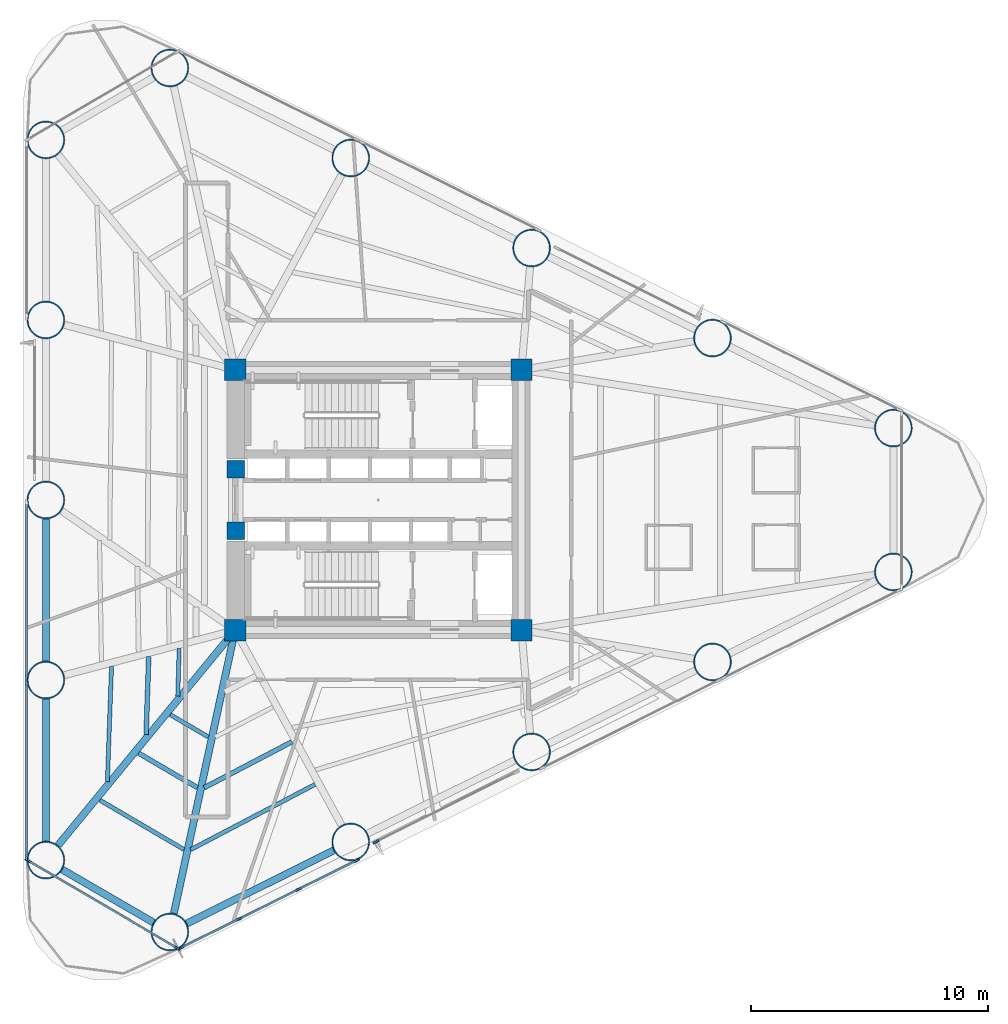
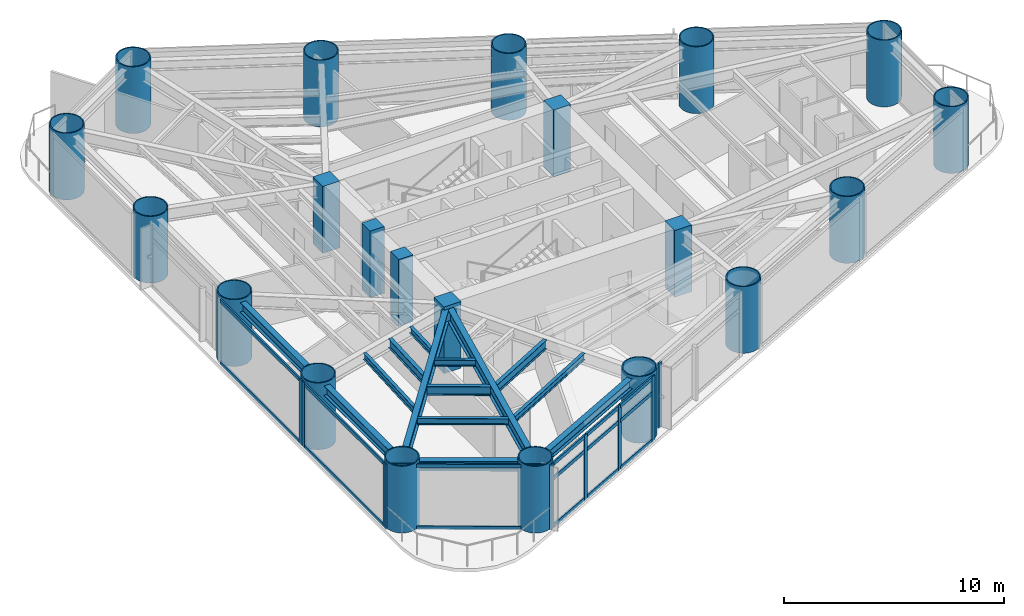
# One storey, part 1 of 11: 25 members, 21 columns, 14 beams, 5 elements without a shape of their own.
"""IFC4 building model written with IfcOpenShell, lengths in metres."""

from ifc_helpers import new_model, si_unit, direction, frame, origin, origin_2d, place, context, subcontext, project, spatial, rectangle, hollow_circle, i_section, extrude, source, transform, mapped, material, layer, layer_set, material_profile, profile_set, type_object, element, aggregate, save


model = new_model("IFC4")

# Units and contexts
model_context = context("Model", 3, precision=1e-05, world=origin(), true_north=direction((0.0, 1.0)))
body_context = subcontext(model_context, "Body", "Model", "MODEL_VIEW")
ifc_project = project(units=[si_unit("LENGTHUNIT", "METRE"), si_unit("AREAUNIT", "SQUARE_METRE"), si_unit("VOLUMEUNIT", "CUBIC_METRE"), si_unit("PLANEANGLEUNIT", "RADIAN"), si_unit("MASSUNIT", "GRAM", prefix="KILO")], contexts=[model_context])

# Site, building, storey
site_placement = place(None, origin())
site = spatial("IfcSite", under=ifc_project, at=site_placement, CompositionType="ELEMENT")
building_placement = place(site_placement, origin())
building = spatial("IfcBuilding", under=site, at=building_placement, Name="Yunling Apex Tower", CompositionType="ELEMENT")
storey_placement = place(building_placement, frame((0.0, 0.0, 42.300048828125)))
storey = spatial("IfcBuildingStorey", under=building, at=storey_placement, Name="L12", CompositionType="ELEMENT", Elevation=42.300048828125)

# Columns
ifc_material_1 = material(Name="Concrete C60", Category="concrete")
ifc_material_profile_1 = material_profile(ifc_material_1, rectangle(XDim=0.89990234375, YDim=0.89990234375, at=origin_2d()))
ifc_profile_set_1 = profile_set([ifc_material_profile_1], Name="Concrete C60")
column_type_1 = type_object("IfcColumnType", Name="PC-SRC-3", PredefinedType="COLUMN", material=ifc_profile_set_1)
shared_shape_1 = source(origin(), body_context, "Body", "SweptSolid", [
    extrude(rectangle(XDim=0.89990234375, YDim=0.89990234375, at=origin_2d()), origin(), (0.0, 0.0, 1.0), 3.699951171875),
])
for number, where, z_axis, x_axis, name in (
    (1, (-6.050048828125, -5.5, 0.0), (0.0, 0.0, 1.0), (1.0, 0.0, 0.0), "L12 Core Spine Column CC-SW"),
    (2, (6.050048828125, -5.5, 0.0), (0.0, 0.0, 1.0), (1.0, 0.0, 0.0), "L12 Core Spine Column CC-SE"),
    (3, (6.050048828125, 5.5, 0.0), (0.0, 0.0, 1.0), (1.0, 0.0, 0.0), "L12 Core Spine Column CC-NE"),
    (4, (-6.050048828125, 5.5, 0.0), (0.0, 0.0, 1.0), (1.0, 0.0, 0.0), "L12 Core Spine Column CC-NW"),
):
    element("IfcColumn", number, at=place(storey_placement, frame(where, z_axis=z_axis, x_axis=x_axis)), inside=storey, type_object=column_type_1, Name=name, PredefinedType="COLUMN", context=body_context, shape_type="MappedRepresentation", body=[
        mapped(shared_shape_1, transform((0.0, 0.0, 0.0), scale=1.0)),
    ])
ifc_material_2 = material(Name="Concrete C50", Category="concrete")
ifc_material_profile_2 = material_profile(ifc_material_2, rectangle(XDim=0.75, YDim=0.75, at=origin_2d()))
ifc_profile_set_2 = profile_set([ifc_material_profile_2], Name="Concrete C50")
column_type_2 = type_object("IfcColumnType", Name="PC-SRC-4", PredefinedType="COLUMN", material=ifc_profile_set_2)
shared_shape_2 = source(origin(), body_context, "Body", "SweptSolid", [
    extrude(rectangle(XDim=0.75, YDim=0.75, at=origin_2d()), origin(), (0.0, 0.0, 1.0), 3.699951171875),
])
for number, where, z_axis, x_axis, name in (
    (5, (-6.02490234375, -1.300048828125, 0.0), (0.0, 0.0, 1.0), (1.0, 0.0, 0.0), "L12 Core West Portal Jamb Column S"),
    (6, (-6.02490234375, 1.300048828125, 0.0), (0.0, 0.0, 1.0), (1.0, 0.0, 0.0), "L12 Core West Portal Jamb Column N"),
):
    element("IfcColumn", number, at=place(storey_placement, frame(where, z_axis=z_axis, x_axis=x_axis)), inside=storey, type_object=column_type_2, Name=name, PredefinedType="COLUMN", context=body_context, shape_type="MappedRepresentation", body=[
        mapped(shared_shape_2, transform((0.0, 0.0, 0.0), scale=1.0)),
    ])
ifc_material_3 = material(Name="Steel Q390GJC", Category="steel")
ifc_material_profile_3 = material_profile(ifc_material_3, hollow_circle(Radius=0.800048828125, WallThickness=0.054931640625, at=origin_2d()))
ifc_profile_set_3 = profile_set([ifc_material_profile_3], Name="Steel Q390GJC")
column_type_3 = type_object("IfcColumnType", Name="MC-CFST-1", PredefinedType="COLUMN", material=ifc_profile_set_3)
shared_shape_3 = source(origin(), body_context, "Body", "SweptSolid", [
    extrude(hollow_circle(Radius=0.800048828125, WallThickness=0.054931640625, at=origin_2d()), origin(), (0.0, 0.0, 1.0), 3.699951171875),
])
for number, where, z_axis, x_axis, name in (
    (7, (-8.8115234375, -18.2578125, 0.0), (0.0, 0.0, 1.0), (1.0, 0.0, 0.0), "L12 Perimeter CFST Mega-Column P01"),
    (8, (-1.1669921875, -14.453125, 0.0), (0.0, 0.0, 1.0), (1.0, 0.0, 0.0), "L12 Perimeter CFST Mega-Column P02"),
    (9, (6.477294921875, -10.648193359375, 0.0), (0.0, 0.0, 1.0), (1.0, 0.0, 0.0), "L12 Perimeter CFST Mega-Column P03"),
    (10, (14.121826171875, -6.843505859375, 0.0), (0.0, 0.0, 1.0), (1.0, 0.0, 0.0), "L12 Perimeter CFST Mega-Column P04"),
    (11, (21.76611328125, -3.038818359375, 0.0), (0.0, 0.0, 1.0), (1.0, 0.0, 0.0), "L12 Perimeter CFST Mega-Column P05"),
    (12, (21.76611328125, 3.038818359375, 0.0), (0.0, 0.0, 1.0), (1.0, 0.0, 0.0), "L12 Perimeter CFST Mega-Column P06"),
    (13, (14.121826171875, 6.843505859375, 0.0), (0.0, 0.0, 1.0), (1.0, 0.0, 0.0), "L12 Perimeter CFST Mega-Column P07"),
    (14, (6.477294921875, 10.648193359375, 0.0), (0.0, 0.0, 1.0), (1.0, 0.0, 0.0), "L12 Perimeter CFST Mega-Column P08"),
    (15, (-1.1669921875, 14.453125, 0.0), (0.0, 0.0, 1.0), (1.0, 0.0, 0.0), "L12 Perimeter CFST Mega-Column P09"),
    (16, (-8.8115234375, 18.2578125, 0.0), (0.0, 0.0, 1.0), (1.0, 0.0, 0.0), "L12 Perimeter CFST Mega-Column P10"),
    (17, (-14.052001953125, 15.218994140625, 0.0), (0.0, 0.0, 1.0), (1.0, 0.0, 0.0), "L12 Perimeter CFST Mega-Column P11"),
    (18, (-14.052001953125, 7.609619140625, 0.0), (0.0, 0.0, 1.0), (1.0, 0.0, 0.0), "L12 Perimeter CFST Mega-Column P12"),
    (19, (-14.052001953125, 0.0, 0.0), (0.0, 0.0, 1.0), (1.0, 0.0, 0.0), "L12 Perimeter CFST Mega-Column P13"),
    (20, (-14.052001953125, -7.609619140625, 0.0), (0.0, 0.0, 1.0), (1.0, 0.0, 0.0), "L12 Perimeter CFST Mega-Column P14"),
    (21, (-14.052001953125, -15.218994140625, 0.0), (0.0, 0.0, 1.0), (1.0, 0.0, 0.0), "L12 Perimeter CFST Mega-Column P15"),
):
    element("IfcColumn", number, at=place(storey_placement, frame(where, z_axis=z_axis, x_axis=x_axis)), inside=storey, type_object=column_type_3, Name=name, PredefinedType="COLUMN", context=body_context, shape_type="MappedRepresentation", body=[
        mapped(shared_shape_3, transform((0.0, 0.0, 0.0), scale=1.0)),
    ])

# Beams
ifc_material_4 = material(Name="Steel Q355B", Category="steel")
ifc_material_profile_4 = material_profile(ifc_material_4, i_section(OverallWidth=0.300048828125, OverallDepth=0.5400390625, WebThickness=0.011962890625, FlangeThickness=0.02001953125, FilletRadius=0.02392578125, at=origin_2d()))
ifc_profile_set_4 = profile_set([ifc_material_profile_4], Name="Steel Q355B")
beam_type_1 = type_object("IfcBeamType", Name="BP-SPN-1", PredefinedType="SPANDREL", material=ifc_profile_set_4)
shared_shape_4 = source(origin(), body_context, "Body", "SweptSolid", [
    extrude(i_section(OverallWidth=0.300048828125, OverallDepth=0.5400390625, WebThickness=0.011962890625, FlangeThickness=0.02001953125, FilletRadius=0.02392578125, at=origin_2d()), origin(), (0.0, 0.0, 1.0), 6.950927734375),
])
beam_1_placement = place(storey_placement, frame((-8.1005859375, -17.904052734375, 3.244873046875), z_axis=(0.89524058306, 0.445583099368, 0.0), x_axis=(-0.445583099368, 0.89524058306, 0.0)))
element("IfcBeam", 22, at=beam_1_placement, inside=storey, type_object=beam_type_1, Name="L12 Perimeter Spandrel Beam 1", PredefinedType="SPANDREL", context=body_context, shape_type="MappedRepresentation", body=[
    mapped(shared_shape_4, transform((0.0, 0.0, 0.0), scale=1.0)),
])
shared_shape_5 = source(origin(), body_context, "Body", "SweptSolid", [
    extrude(i_section(OverallWidth=0.300048828125, OverallDepth=0.5400390625, WebThickness=0.011962890625, FlangeThickness=0.02001953125, FilletRadius=0.02392578125, at=origin_2d()), origin(), (0.0, 0.0, 1.0), 4.469970703125),
])
beam_2_placement = place(storey_placement, frame((-13.364990234375, -15.6171875, 3.244873046875), z_axis=(0.865055841155, -0.501675584102, 0.0), x_axis=(0.501675584102, 0.865055841155, 0.0)))
element("IfcBeam", 23, at=beam_2_placement, inside=storey, type_object=beam_type_1, Name="L12 Perimeter Spandrel Beam 15", PredefinedType="SPANDREL", context=body_context, shape_type="MappedRepresentation", body=[
    mapped(shared_shape_5, transform((0.0, 0.0, 0.0), scale=1.0)),
])
shared_shape_6 = source(origin(), body_context, "Body", "SweptSolid", [
    extrude(i_section(OverallWidth=0.300048828125, OverallDepth=0.5400390625, WebThickness=0.011962890625, FlangeThickness=0.02001953125, FilletRadius=0.02392578125, at=origin_2d()), origin(), (0.0, 0.0, 1.0), 6.021240234375),
])
beam_3_placement = place(storey_placement, frame((-14.052001953125, -8.403564453125, 3.244873046875), z_axis=(0.0, -1.0, 0.0), x_axis=(1.0, 0.0, 0.0)))
element("IfcBeam", 24, at=beam_3_placement, inside=storey, type_object=beam_type_1, Name="L12 Perimeter Spandrel Beam 14", PredefinedType="SPANDREL", context=body_context, shape_type="MappedRepresentation", body=[
    mapped(shared_shape_6, transform((0.0, 0.0, 0.0), scale=1.0)),
])
shared_shape_7 = source(origin(), body_context, "Body", "SweptSolid", [
    extrude(i_section(OverallWidth=0.300048828125, OverallDepth=0.5400390625, WebThickness=0.011962890625, FlangeThickness=0.02001953125, FilletRadius=0.02392578125, at=origin_2d()), origin(), (0.0, 0.0, 1.0), 6.021484375),
])
beam_4_placement = place(storey_placement, frame((-14.052001953125, -0.7939453125, 3.244873046875), z_axis=(0.0, -1.0, 0.0), x_axis=(1.0, 0.0, 0.0)))
element("IfcBeam", 25, at=beam_4_placement, inside=storey, type_object=beam_type_1, Name="L12 Perimeter Spandrel Beam 13", PredefinedType="SPANDREL", context=body_context, shape_type="MappedRepresentation", body=[
    mapped(shared_shape_7, transform((0.0, 0.0, 0.0), scale=1.0)),
])
ifc_material_profile_5 = material_profile(ifc_material_4, i_section(OverallWidth=0.300048828125, OverallDepth=0.699951171875, WebThickness=0.012939453125, FlangeThickness=0.02392578125, FilletRadius=0.02587890625, at=origin_2d()))
ifc_profile_set_5 = profile_set([ifc_material_profile_5], Name="Steel Q355B")
beam_type_2 = type_object("IfcBeamType", Name="BG-PRI-3", PredefinedType="USERDEFINED", material=ifc_profile_set_5)
shared_shape_8 = source(origin(), body_context, "Body", "SweptSolid", [
    extrude(i_section(OverallWidth=0.300048828125, OverallDepth=0.699951171875, WebThickness=0.012939453125, FlangeThickness=0.02392578125, FilletRadius=0.02587890625, at=origin_2d()), origin(), (0.0, 0.0, 1.0), 12.165283203125),
])
beam_5_placement = place(storey_placement, frame((-8.640625, -17.468017578125, 3.1650390625), z_axis=(0.2115638914, 0.977364169517, 0.0), x_axis=(-0.977364169517, 0.2115638914, 0.0)))
element("IfcBeam", 26, at=beam_5_placement, inside=storey, type_object=beam_type_2, Name="L12 Radial Primary Girder R01", ObjectType="GIRDER", PredefinedType="USERDEFINED", context=body_context, shape_type="MappedRepresentation", body=[
    mapped(shared_shape_8, transform((0.0, 0.0, 0.0), scale=1.0)),
])
shared_shape_9 = source(origin(), body_context, "Body", "SweptSolid", [
    extrude(i_section(OverallWidth=0.300048828125, OverallDepth=0.699951171875, WebThickness=0.012939453125, FlangeThickness=0.02392578125, FilletRadius=0.02587890625, at=origin_2d()), origin(), (0.0, 0.0, 1.0), 11.701171875),
])
beam_6_placement = place(storey_placement, frame((-13.538330078125, -14.59521484375, 3.1650390625), z_axis=(0.635615100524, 0.772006116547, 0.0), x_axis=(-0.772006116547, 0.635615100524, 0.0)))
element("IfcBeam", 27, at=beam_6_placement, inside=storey, type_object=beam_type_2, Name="L12 Radial Primary Girder R15", ObjectType="GIRDER", PredefinedType="USERDEFINED", context=body_context, shape_type="MappedRepresentation", body=[
    mapped(shared_shape_9, transform((0.0, 0.0, 0.0), scale=1.0)),
])
ifc_material_profile_6 = material_profile(ifc_material_4, i_section(OverallWidth=0.199951171875, OverallDepth=0.5, WebThickness=0.010009765625, FlangeThickness=0.01611328125, FilletRadius=0.02001953125, at=origin_2d()))
ifc_profile_set_6 = profile_set([ifc_material_profile_6], Name="Steel Q355B")
beam_type_3 = type_object("IfcBeamType", Name="BS-SEC-2", PredefinedType="BEAM", material=ifc_profile_set_6)
shared_shape_10 = source(origin(), body_context, "Body", "SweptSolid", [
    extrude(i_section(OverallWidth=0.199951171875, OverallDepth=0.5, WebThickness=0.010009765625, FlangeThickness=0.01611328125, FilletRadius=0.02001953125, at=origin_2d()), origin(), (0.0, 0.0, 1.0), 4.186279296875),
])
beam_7_placement = place(storey_placement, frame((-7.366455078125, -12.162353515625, 3.264892578125), z_axis=(0.886028927656, 0.463629959512, 0.0), x_axis=(-0.463629959512, 0.886028927656, 0.0)))
element("IfcBeam", 28, at=beam_7_placement, inside=storey, type_object=beam_type_3, Name="L12 Composite Floor Beam BS-1", PredefinedType="BEAM", context=body_context, shape_type="MappedRepresentation", body=[
    mapped(shared_shape_10, transform((0.0, 0.0, 0.0), scale=1.0)),
])
ifc_material_profile_7 = material_profile(ifc_material_4, i_section(OverallWidth=0.175048828125, OverallDepth=0.35009765625, WebThickness=0.007080078125, FlangeThickness=0.010986328125, FilletRadius=0.013916015625, at=origin_2d()))
ifc_profile_set_7 = profile_set([ifc_material_profile_7], Name="Steel Q355B")
beam_type_4 = type_object("IfcBeamType", Name="BJ-JST-1", PredefinedType="JOIST", material=ifc_profile_set_7)
shared_shape_11 = source(origin(), body_context, "Body", "SweptSolid", [
    extrude(i_section(OverallWidth=0.175048828125, OverallDepth=0.35009765625, WebThickness=0.007080078125, FlangeThickness=0.010986328125, FilletRadius=0.013916015625, at=origin_2d()), origin(), (0.0, 0.0, 1.0), 5.935791015625),
])
beam_8_placement = place(storey_placement, frame((-7.9326171875, -14.778076171875, 3.33984375), z_axis=(0.885494794786, 0.464649296144, 0.0), x_axis=(-0.464649296144, 0.885494794786, 0.0)))
element("IfcBeam", 29, at=beam_8_placement, inside=storey, type_object=beam_type_4, Name="L12 Composite Floor Joist BJ1-1", PredefinedType="JOIST", context=body_context, shape_type="MappedRepresentation", body=[
    mapped(shared_shape_11, transform((0.0, 0.0, 0.0), scale=1.0)),
])
shared_shape_12 = source(origin(), body_context, "Body", "SweptSolid", [
    extrude(i_section(OverallWidth=0.199951171875, OverallDepth=0.5, WebThickness=0.010009765625, FlangeThickness=0.01611328125, FilletRadius=0.02001953125, at=origin_2d()), origin(), (0.0, 0.0, 1.0), 3.29833984375),
])
beam_9_placement = place(storey_placement, frame((-9.704345703125, -6.621826171875, 3.264892578125), z_axis=(-0.033307436794, -0.9994451534, 0.0), x_axis=(0.9994451534, -0.033307436794, 0.0)))
element("IfcBeam", 30, at=beam_9_placement, inside=storey, type_object=beam_type_3, Name="L12 Composite Floor Beam BS-14", PredefinedType="BEAM", context=body_context, shape_type="MappedRepresentation", body=[
    mapped(shared_shape_12, transform((0.0, 0.0, 0.0), scale=1.0)),
])
shared_shape_13 = source(origin(), body_context, "Body", "SweptSolid", [
    extrude(i_section(OverallWidth=0.175048828125, OverallDepth=0.35009765625, WebThickness=0.007080078125, FlangeThickness=0.010986328125, FilletRadius=0.013916015625, at=origin_2d()), origin(), (0.0, 0.0, 1.0), 4.873046875),
])
beam_10_placement = place(storey_placement, frame((-11.2763671875, -7.0361328125, 3.33984375), z_axis=(-0.035671873065, -0.999363556206, 0.0), x_axis=(0.999363556206, -0.035671873065, 0.0)))
element("IfcBeam", 31, at=beam_10_placement, inside=storey, type_object=beam_type_4, Name="L12 Composite Floor Joist BJ1-14", PredefinedType="JOIST", context=body_context, shape_type="MappedRepresentation", body=[
    mapped(shared_shape_13, transform((0.0, 0.0, 0.0), scale=1.0)),
])
shared_shape_14 = source(origin(), body_context, "Body", "SweptSolid", [
    extrude(i_section(OverallWidth=0.175048828125, OverallDepth=0.35009765625, WebThickness=0.007080078125, FlangeThickness=0.010986328125, FilletRadius=0.013916015625, at=origin_2d()), origin(), (0.0, 0.0, 1.0), 2.01025390625),
])
beam_11_placement = place(storey_placement, frame((-8.41796875, -6.282958984375, 3.33984375), z_axis=(-0.029024336113, -0.999578705212, 0.0), x_axis=(0.999578705212, -0.029024336113, 0.0)))
element("IfcBeam", 32, at=beam_11_placement, inside=storey, type_object=beam_type_4, Name="L12 Composite Floor Joist BJ3-14", PredefinedType="JOIST", context=body_context, shape_type="MappedRepresentation", body=[
    mapped(shared_shape_14, transform((0.0, 0.0, 0.0), scale=1.0)),
])
shared_shape_15 = source(origin(), body_context, "Body", "SweptSolid", [
    extrude(i_section(OverallWidth=0.199951171875, OverallDepth=0.5, WebThickness=0.010009765625, FlangeThickness=0.01611328125, FilletRadius=0.02001953125, at=origin_2d()), origin(), (0.0, 0.0, 1.0), 2.876220703125),
])
beam_12_placement = place(storey_placement, frame((-10.127685546875, -10.701416015625, 3.264892578125), z_axis=(0.862779689624, -0.505580069992, 0.0), x_axis=(0.505580069992, 0.862779689624, 0.0)))
element("IfcBeam", 33, at=beam_12_placement, inside=storey, type_object=beam_type_3, Name="L12 Composite Floor Beam BS-15", PredefinedType="BEAM", context=body_context, shape_type="MappedRepresentation", body=[
    mapped(shared_shape_15, transform((0.0, 0.0, 0.0), scale=1.0)),
])
shared_shape_16 = source(origin(), body_context, "Body", "SweptSolid", [
    extrude(i_section(OverallWidth=0.175048828125, OverallDepth=0.35009765625, WebThickness=0.007080078125, FlangeThickness=0.010986328125, FilletRadius=0.013916015625, at=origin_2d()), origin(), (0.0, 0.0, 1.0), 4.117431640625),
])
beam_13_placement = place(storey_placement, frame((-11.76416015625, -12.688720703125, 3.33984375), z_axis=(0.86262392079, -0.505845797928, 0.0), x_axis=(0.505845797928, 0.86262392079, 0.0)))
element("IfcBeam", 34, at=beam_13_placement, inside=storey, type_object=beam_type_4, Name="L12 Composite Floor Joist BJ1-15", PredefinedType="JOIST", context=body_context, shape_type="MappedRepresentation", body=[
    mapped(shared_shape_16, transform((0.0, 0.0, 0.0), scale=1.0)),
])
shared_shape_17 = source(origin(), body_context, "Body", "SweptSolid", [
    extrude(i_section(OverallWidth=0.175048828125, OverallDepth=0.35009765625, WebThickness=0.007080078125, FlangeThickness=0.010986328125, FilletRadius=0.013916015625, at=origin_2d()), origin(), (0.0, 0.0, 1.0), 1.86083984375),
])
beam_14_placement = place(storey_placement, frame((-8.7890625, -9.0751953125, 3.33984375), z_axis=(0.862987962162, -0.505224481953, 0.0), x_axis=(0.505224481953, 0.862987962162, 0.0)))
element("IfcBeam", 35, at=beam_14_placement, inside=storey, type_object=beam_type_4, Name="L12 Composite Floor Joist BJ3-15", PredefinedType="JOIST", context=body_context, shape_type="MappedRepresentation", body=[
    mapped(shared_shape_17, transform((0.0, 0.0, 0.0), scale=1.0)),
])

# Curtain wall, members
ifc_material_5 = material(Name="Bronze anodised aluminium", Category="aluminium")
ifc_layer = layer(ifc_material_5, 0.260009765625)
ifc_layer_set = layer_set([ifc_layer], Name="Bronze anodised aluminium")
curtain_wall_type = type_object("IfcCurtainWallType", Name="CW-SYS-2", PredefinedType="NOTDEFINED", material=ifc_layer_set)
curtain_wall_1_placement = place(storey_placement, origin())
curtain_wall_1 = element("IfcCurtainWall", 36, at=curtain_wall_1_placement, inside=storey, type_object=curtain_wall_type, Name="CW-L12-F1-B1", PredefinedType="NOTDEFINED")
ifc_material_profile_8 = material_profile(ifc_material_5, rectangle(XDim=0.0849609375, YDim=0.260009765625, at=origin_2d()))
ifc_profile_set_8 = profile_set([ifc_material_profile_8], Name="Bronze anodised aluminium")
member_type_1 = type_object("IfcMemberType", Name="CW-MUL-2", PredefinedType="MULLION", material=ifc_profile_set_8)
shared_shape_18 = source(origin(), body_context, "Body", "SweptSolid", [
    extrude(rectangle(XDim=0.0849609375, YDim=0.260009765625, at=origin_2d()), origin(), (0.0, 0.0, 1.0), 3.614990234375),
])
member_1_placement = place(storey_placement, frame((-8.341064453125, -18.928466796875, -0.050048828125), z_axis=(0.0, 0.0, 1.0), x_axis=(-0.445570625003, 0.895246791748, 0.0)))
member_1 = element("IfcMember", 37, at=member_1_placement, type_object=member_type_1, Name="CW-SYS-2 mullion 1", PredefinedType="MULLION", context=body_context, shape_type="MappedRepresentation", body=[
    mapped(shared_shape_18, transform((0.0, 0.0, 0.0), scale=1.0)),
])
member_2_placement = place(storey_placement, frame((-5.878662109375, -17.702880859375, -0.050048828125), z_axis=(0.0, 0.0, 1.0), x_axis=(-0.445570625003, 0.895246791748, 0.0)))
member_2 = element("IfcMember", 38, at=member_2_placement, type_object=member_type_1, Name="CW-SYS-2 mullion 2", PredefinedType="MULLION", context=body_context, shape_type="MappedRepresentation", body=[
    mapped(shared_shape_18, transform((0.0, 0.0, 0.0), scale=1.0)),
])
member_3_placement = place(storey_placement, frame((-3.378173828125, -16.458251953125, -0.050048828125), z_axis=(0.0, 0.0, 1.0), x_axis=(-0.445570625003, 0.895246791748, 0.0)))
member_3 = element("IfcMember", 39, at=member_3_placement, type_object=member_type_1, Name="CW-SYS-2 mullion 3", PredefinedType="MULLION", context=body_context, shape_type="MappedRepresentation", body=[
    mapped(shared_shape_18, transform((0.0, 0.0, 0.0), scale=1.0)),
])
member_4_placement = place(storey_placement, frame((-0.915771484375, -15.23291015625, -0.050048828125), z_axis=(0.0, 0.0, 1.0), x_axis=(-0.445570625003, 0.895246791748, 0.0)))
member_4 = element("IfcMember", 40, at=member_4_placement, type_object=member_type_1, Name="CW-SYS-2 mullion 4", PredefinedType="MULLION", context=body_context, shape_type="MappedRepresentation", body=[
    mapped(shared_shape_18, transform((0.0, 0.0, 0.0), scale=1.0)),
])

# Curtain wall, member
curtain_wall_2_placement = place(storey_placement, origin())
curtain_wall_2 = element("IfcCurtainWall", 41, at=curtain_wall_2_placement, inside=storey, type_object=curtain_wall_type, Name="CW-L12-F1-B2", PredefinedType="NOTDEFINED")
member_5_placement = place(storey_placement, frame((-0.095947265625, -14.445068359375, -0.050048828125), z_axis=(0.0, 0.0, 1.0), x_axis=(-0.445582781121, 0.895240741459, 0.0)))
member_5 = element("IfcMember", 42, at=member_5_placement, type_object=member_type_1, Name="CW-SYS-2 mullion 1", PredefinedType="MULLION", context=body_context, shape_type="MappedRepresentation", body=[
    mapped(shared_shape_18, transform((0.0, 0.0, 0.0), scale=1.0)),
])
aggregate(curtain_wall_2, [member_5])

curtain_wall_3_placement = place(storey_placement, origin())
curtain_wall_3 = element("IfcCurtainWall", 43, at=curtain_wall_3_placement, inside=storey, type_object=curtain_wall_type, Name="CW-L12-F3-B3", PredefinedType="NOTDEFINED")
member_6_placement = place(storey_placement, frame((-14.862060546875, -7.487060546875, -0.050048828125), z_axis=(0.0, 0.0, 1.0), x_axis=(1.0, 0.0, 0.0)))
member_6 = element("IfcMember", 44, at=member_6_placement, type_object=member_type_1, Name="CW-SYS-2 mullion 2", PredefinedType="MULLION", context=body_context, shape_type="MappedRepresentation", body=[
    mapped(shared_shape_18, transform((0.0, 0.0, 0.0), scale=1.0)),
])

# Curtain wall, members
curtain_wall_4_placement = place(storey_placement, origin())
curtain_wall_4 = element("IfcCurtainWall", 45, at=curtain_wall_4_placement, inside=storey, type_object=curtain_wall_type, Name="CW-L12-F3-B4", PredefinedType="NOTDEFINED")
member_7_placement = place(storey_placement, frame((-14.862060546875, -7.73193359375, -0.050048828125), z_axis=(0.0, 0.0, 1.0), x_axis=(1.0, 0.0, 0.0)))
member_7 = element("IfcMember", 46, at=member_7_placement, type_object=member_type_1, Name="CW-SYS-2 mullion 1", PredefinedType="MULLION", context=body_context, shape_type="MappedRepresentation", body=[
    mapped(shared_shape_18, transform((0.0, 0.0, 0.0), scale=1.0)),
])
member_8_placement = place(storey_placement, frame((-14.862060546875, -15.096435546875, -0.050048828125), z_axis=(0.0, 0.0, 1.0), x_axis=(1.0, 0.0, 0.0)))
member_8 = element("IfcMember", 47, at=member_8_placement, type_object=member_type_1, Name="CW-SYS-2 mullion 2", PredefinedType="MULLION", context=body_context, shape_type="MappedRepresentation", body=[
    mapped(shared_shape_18, transform((0.0, 0.0, 0.0), scale=1.0)),
])

curtain_wall_5_placement = place(storey_placement, origin())
curtain_wall_5 = element("IfcCurtainWall", 48, at=curtain_wall_5_placement, inside=storey, type_object=curtain_wall_type, Name="CW-L12-CRN3", PredefinedType="NOTDEFINED")
member_9_placement = place(storey_placement, frame((-14.805419921875, -15.240478515625, -0.050048828125), z_axis=(0.0, 0.0, 1.0), x_axis=(0.506195543811, 0.86241873323, 0.0)))
member_9 = element("IfcMember", 49, at=member_9_placement, type_object=member_type_1, Name="CW-SYS-2 mullion 1", PredefinedType="MULLION", context=body_context, shape_type="MappedRepresentation", body=[
    mapped(shared_shape_18, transform((0.0, 0.0, 0.0), scale=1.0)),
])
member_10_placement = place(storey_placement, frame((-8.49609375, -18.943603515625, -0.050048828125), z_axis=(0.0, 0.0, 1.0), x_axis=(0.506195543811, 0.86241873323, 0.0)))
member_10 = element("IfcMember", 50, at=member_10_placement, type_object=member_type_1, Name="CW-SYS-2 mullion 2", PredefinedType="MULLION", context=body_context, shape_type="MappedRepresentation", body=[
    mapped(shared_shape_18, transform((0.0, 0.0, 0.0), scale=1.0)),
])

# Member
ifc_material_profile_9 = material_profile(ifc_material_5, rectangle(XDim=0.0849609375, YDim=0.199951171875, at=origin_2d()))
ifc_profile_set_9 = profile_set([ifc_material_profile_9], Name="Bronze anodised aluminium")
member_type_2 = type_object("IfcMemberType", Name="CW-TRN-2", PredefinedType="USERDEFINED", material=ifc_profile_set_9)
shared_shape_19 = source(origin(), body_context, "Body", "SweptSolid", [
    extrude(rectangle(XDim=0.0849609375, YDim=0.199951171875, at=origin_2d()), origin(), (0.0, 0.0, 1.0), 2.673828125),
])
member_11_placement = place(storey_placement, frame((-8.306640625, -18.911376953125, 0.04248046875), z_axis=(0.895247427801, 0.445569347034, 0.0), x_axis=(-0.445569347034, 0.895247427801, 0.0)))
member_11 = element("IfcMember", 51, at=member_11_placement, type_object=member_type_2, Name="CW-SYS-2 transom 1.1", ObjectType="TRANSOM", PredefinedType="USERDEFINED", context=body_context, shape_type="MappedRepresentation", body=[
    mapped(shared_shape_19, transform((0.0, 0.0, 0.0), scale=1.0)),
])

member_12_placement = place(storey_placement, frame((-8.306640625, -18.911376953125, 2.67138671875), z_axis=(0.895247427801, 0.445569347034, 0.0), x_axis=(-0.445569347034, 0.895247427801, 0.0)))
member_12 = element("IfcMember", 52, at=member_12_placement, type_object=member_type_2, Name="CW-SYS-2 transom 1.2", ObjectType="TRANSOM", PredefinedType="USERDEFINED", context=body_context, shape_type="MappedRepresentation", body=[
    mapped(shared_shape_19, transform((0.0, 0.0, 0.0), scale=1.0)),
])

member_13_placement = place(storey_placement, frame((-8.306640625, -18.911376953125, 3.472412109375), z_axis=(0.895247427801, 0.445569347034, 0.0), x_axis=(-0.445569347034, 0.895247427801, 0.0)))
member_13 = element("IfcMember", 53, at=member_13_placement, type_object=member_type_2, Name="CW-SYS-2 transom 1.3", ObjectType="TRANSOM", PredefinedType="USERDEFINED", context=body_context, shape_type="MappedRepresentation", body=[
    mapped(shared_shape_19, transform((0.0, 0.0, 0.0), scale=1.0)),
])

member_14_placement = place(storey_placement, frame((-3.343994140625, -16.44140625, 0.04248046875), z_axis=(0.895247427801, 0.445569347034, 0.0), x_axis=(-0.445569347034, 0.895247427801, 0.0)))
member_14 = element("IfcMember", 54, at=member_14_placement, type_object=member_type_2, Name="CW-SYS-2 transom 3.1", ObjectType="TRANSOM", PredefinedType="USERDEFINED", context=body_context, shape_type="MappedRepresentation", body=[
    mapped(shared_shape_19, transform((0.0, 0.0, 0.0), scale=1.0)),
])

member_15_placement = place(storey_placement, frame((-3.343994140625, -16.44140625, 2.67138671875), z_axis=(0.895247427801, 0.445569347034, 0.0), x_axis=(-0.445569347034, 0.895247427801, 0.0)))
member_15 = element("IfcMember", 55, at=member_15_placement, type_object=member_type_2, Name="CW-SYS-2 transom 3.2", ObjectType="TRANSOM", PredefinedType="USERDEFINED", context=body_context, shape_type="MappedRepresentation", body=[
    mapped(shared_shape_19, transform((0.0, 0.0, 0.0), scale=1.0)),
])

member_16_placement = place(storey_placement, frame((-3.343994140625, -16.44140625, 3.472412109375), z_axis=(0.895247427801, 0.445569347034, 0.0), x_axis=(-0.445569347034, 0.895247427801, 0.0)))
member_16 = element("IfcMember", 56, at=member_16_placement, type_object=member_type_2, Name="CW-SYS-2 transom 3.3", ObjectType="TRANSOM", PredefinedType="USERDEFINED", context=body_context, shape_type="MappedRepresentation", body=[
    mapped(shared_shape_19, transform((0.0, 0.0, 0.0), scale=1.0)),
])

shared_shape_20 = source(origin(), body_context, "Body", "SweptSolid", [
    extrude(rectangle(XDim=0.0849609375, YDim=0.199951171875, at=origin_2d()), origin(), (0.0, 0.0, 1.0), 2.716552734375),
])
member_17_placement = place(storey_placement, frame((-5.84423828125, -17.685791015625, 0.04248046875), z_axis=(0.895234593731, 0.445595132589, 0.0), x_axis=(-0.445595132589, 0.895234593731, 0.0)))
member_17 = element("IfcMember", 57, at=member_17_placement, type_object=member_type_2, Name="CW-SYS-2 transom 2.1", ObjectType="TRANSOM", PredefinedType="USERDEFINED", context=body_context, shape_type="MappedRepresentation", body=[
    mapped(shared_shape_20, transform((0.0, 0.0, 0.0), scale=1.0)),
])

member_18_placement = place(storey_placement, frame((-5.84423828125, -17.685791015625, 2.67138671875), z_axis=(0.895234593731, 0.445595132589, 0.0), x_axis=(-0.445595132589, 0.895234593731, 0.0)))
member_18 = element("IfcMember", 58, at=member_18_placement, type_object=member_type_2, Name="CW-SYS-2 transom 2.2", ObjectType="TRANSOM", PredefinedType="USERDEFINED", context=body_context, shape_type="MappedRepresentation", body=[
    mapped(shared_shape_20, transform((0.0, 0.0, 0.0), scale=1.0)),
])

member_19_placement = place(storey_placement, frame((-5.84423828125, -17.685791015625, 3.472412109375), z_axis=(0.895234593731, 0.445595132589, 0.0), x_axis=(-0.445595132589, 0.895234593731, 0.0)))
member_19 = element("IfcMember", 59, at=member_19_placement, type_object=member_type_2, Name="CW-SYS-2 transom 2.3", ObjectType="TRANSOM", PredefinedType="USERDEFINED", context=body_context, shape_type="MappedRepresentation", body=[
    mapped(shared_shape_20, transform((0.0, 0.0, 0.0), scale=1.0)),
])

aggregate(curtain_wall_1, [member_1, member_2, member_3, member_4, member_11, member_12, member_13, member_17, member_18, member_19, member_14, member_15, member_16])

shared_shape_21 = source(origin(), body_context, "Body", "SweptSolid", [
    extrude(rectangle(XDim=0.0849609375, YDim=0.199951171875, at=origin_2d()), origin(), (0.0, 0.0, 1.0), 7.239501953125),
])
member_20_placement = place(storey_placement, frame((-14.7724609375, -15.259765625, 0.04248046875), z_axis=(0.862419304353, -0.506194570772, 0.0), x_axis=(0.506194570772, 0.862419304353, 0.0)))
member_20 = element("IfcMember", 60, at=member_20_placement, type_object=member_type_2, Name="CW-SYS-2 transom 1.1", ObjectType="TRANSOM", PredefinedType="USERDEFINED", context=body_context, shape_type="MappedRepresentation", body=[
    mapped(shared_shape_21, transform((0.0, 0.0, 0.0), scale=1.0)),
])

member_21_placement = place(storey_placement, frame((-14.7724609375, -15.259765625, 3.472412109375), z_axis=(0.862419304353, -0.506194570772, 0.0), x_axis=(0.506194570772, 0.862419304353, 0.0)))
member_21 = element("IfcMember", 61, at=member_21_placement, type_object=member_type_2, Name="CW-SYS-2 transom 1.2", ObjectType="TRANSOM", PredefinedType="USERDEFINED", context=body_context, shape_type="MappedRepresentation", body=[
    mapped(shared_shape_21, transform((0.0, 0.0, 0.0), scale=1.0)),
])

aggregate(curtain_wall_5, [member_9, member_10, member_20, member_21])

shared_shape_22 = source(origin(), body_context, "Body", "SweptSolid", [
    extrude(rectangle(XDim=0.0849609375, YDim=0.199951171875, at=origin_2d()), origin(), (0.0, 0.0, 1.0), 7.287841796875),
])
member_22_placement = place(storey_placement, frame((-14.862060546875, -7.770263671875, 0.04248046875), z_axis=(0.0, -1.0, 0.0), x_axis=(1.0, 0.0, 0.0)))
member_22 = element("IfcMember", 62, at=member_22_placement, type_object=member_type_2, Name="CW-SYS-2 transom 1.1", ObjectType="TRANSOM", PredefinedType="USERDEFINED", context=body_context, shape_type="MappedRepresentation", body=[
    mapped(shared_shape_22, transform((0.0, 0.0, 0.0), scale=1.0)),
])

member_23_placement = place(storey_placement, frame((-14.862060546875, -7.770263671875, 3.472412109375), z_axis=(0.0, -1.0, 0.0), x_axis=(1.0, 0.0, 0.0)))
member_23 = element("IfcMember", 63, at=member_23_placement, type_object=member_type_2, Name="CW-SYS-2 transom 1.2", ObjectType="TRANSOM", PredefinedType="USERDEFINED", context=body_context, shape_type="MappedRepresentation", body=[
    mapped(shared_shape_22, transform((0.0, 0.0, 0.0), scale=1.0)),
])

aggregate(curtain_wall_4, [member_7, member_8, member_22, member_23])

shared_shape_23 = source(origin(), body_context, "Body", "SweptSolid", [
    extrude(rectangle(XDim=0.0849609375, YDim=0.199951171875, at=origin_2d()), origin(), (0.0, 0.0, 1.0), 7.2880859375),
])
member_24_placement = place(storey_placement, frame((-14.862060546875, -0.16064453125, 0.04248046875), z_axis=(0.0, -1.0, 0.0), x_axis=(1.0, 0.0, 0.0)))
member_24 = element("IfcMember", 64, at=member_24_placement, type_object=member_type_2, Name="CW-SYS-2 transom 1.1", ObjectType="TRANSOM", PredefinedType="USERDEFINED", context=body_context, shape_type="MappedRepresentation", body=[
    mapped(shared_shape_23, transform((0.0, 0.0, 0.0), scale=1.0)),
])

member_25_placement = place(storey_placement, frame((-14.862060546875, -0.16064453125, 3.472412109375), z_axis=(0.0, -1.0, 0.0), x_axis=(1.0, 0.0, 0.0)))
member_25 = element("IfcMember", 65, at=member_25_placement, type_object=member_type_2, Name="CW-SYS-2 transom 1.2", ObjectType="TRANSOM", PredefinedType="USERDEFINED", context=body_context, shape_type="MappedRepresentation", body=[
    mapped(shared_shape_23, transform((0.0, 0.0, 0.0), scale=1.0)),
])

aggregate(curtain_wall_3, [member_6, member_24, member_25])

save(model, "model.ifc")
